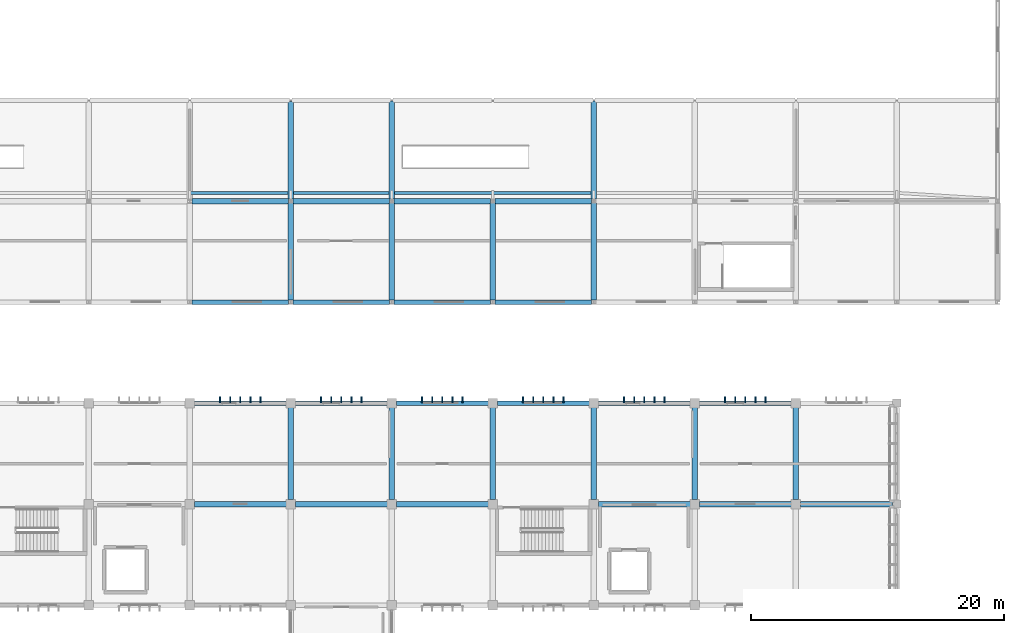
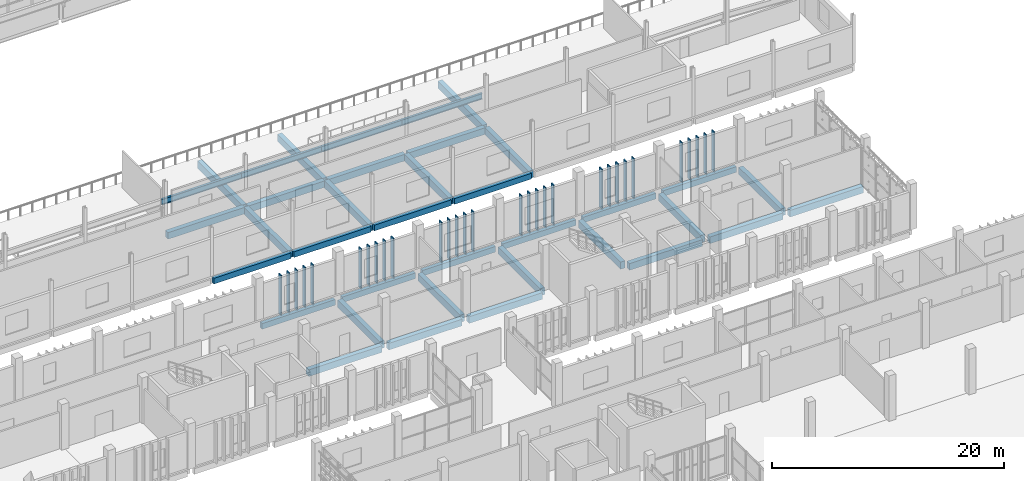
# One storey, part 63 of 106: 37 beams, 30 members.
"""IFC4 building model written with IfcOpenShell, lengths in metres."""

import ifcopenshell
import ifcopenshell.guid

model = None  # the IFC model being written
_history = None  # IfcOwnerHistory: only IFC2X3 demands one
_inside = {}  # id of a spatial element -> (the spatial element, [elements in it])
_under = {}  # id of a project, library or spatial element -> (it, [spatial elements below it])
_declared = {}  # id of a project -> (the project, [libraries it declares])
_typed = {}  # id of a type object -> (the type object, [elements of that type])
_made_of = {}  # id of a material, layer set ... -> (it, [elements and type objects made of it])


def new_model(schema):
    """Start an empty IFC model of exactly this schema.

    Asked for "IFC4X3", IfcOpenShell would pick the latest addendum, in which some entities
    have other attributes; the version numbers below select the first issue.
    IFC2X3 requires an IfcOwnerHistory on every rooted entity: one is made here for all.
    """
    global model, _history
    if schema == "IFC4X3":
        model = ifcopenshell.file(schema_version=(4, 3, 0, 0))
    else:
        model = ifcopenshell.file(schema=schema)
    _inside.clear()
    _under.clear()
    _declared.clear()
    _typed.clear()
    _made_of.clear()
    _history = None
    if model.schema == "IFC2X3":
        org = make("IfcOrganization", Name="unknown")
        user = make(
            "IfcPersonAndOrganization",
            ThePerson=make("IfcPerson", FamilyName="unknown"),
            TheOrganization=org,
        )
        app = make(
            "IfcApplication",
            ApplicationDeveloper=org,
            Version="unknown",
            ApplicationFullName="unknown",
            ApplicationIdentifier="unknown",
        )
        _history = make(
            "IfcOwnerHistory",
            OwningUser=user,
            OwningApplication=app,
            ChangeAction="ADDED",
            CreationDate=0,
        )
    return model


def make(cls, **values):
    """One entity of the class cls with the attributes given. An attribute that is None is left unset."""
    return model.create_entity(
        cls, **{name: value for name, value in values.items() if value is not None}
    )


def rooted(cls, **values):
    """An entity with a GlobalId (a new one), such as an element, a storey or a relation."""
    return make(cls, GlobalId=ifcopenshell.guid.new(), OwnerHistory=_history, **values)


def si_unit(unit_type, name, prefix=None):
    """IfcSIUnit, for example si_unit("LENGTHUNIT", "METRE", prefix="MILLI")."""
    return make("IfcSIUnit", UnitType=unit_type, Prefix=prefix, Name=name)


def assignment(units):
    """IfcUnitAssignment: the units of a project."""
    return None if units is None else make("IfcUnitAssignment", Units=units)


def point(xyz):
    """IfcCartesianPoint."""
    return None if xyz is None else make("IfcCartesianPoint", Coordinates=xyz)


def direction(xyz):
    """IfcDirection."""
    return None if xyz is None else make("IfcDirection", DirectionRatios=xyz)


def frame(location, z_axis=None, x_axis=None):
    """IfcAxis2Placement3D, a coordinate frame: its origin and axes. An axis left out is left unset."""
    return make(
        "IfcAxis2Placement3D",
        Location=point(location),
        Axis=direction(z_axis),
        RefDirection=direction(x_axis),
    )


def frame_2d(location, x_axis=None):
    """IfcAxis2Placement2D, a coordinate frame in the plane: its origin and x axis."""
    return make(
        "IfcAxis2Placement2D", Location=point(location), RefDirection=direction(x_axis)
    )


def origin():
    """The frame at (0, 0, 0) with its axes left unset."""
    return frame((0.0, 0.0, 0.0))


def origin_2d():
    """The frame at (0, 0) in the plane with its x axis left unset."""
    return frame_2d((0.0, 0.0))


def place(relative_to, where):
    """IfcLocalPlacement: puts the frame where relative to a parent placement (None: the world)."""
    return make(
        "IfcLocalPlacement", PlacementRelTo=relative_to, RelativePlacement=where
    )


def context(
    kind, dimensions, precision=None, world=None, true_north=None, identifier=None
):
    """IfcGeometricRepresentationContext, for example the 3D "Model" context."""
    return make(
        "IfcGeometricRepresentationContext",
        ContextIdentifier=identifier,
        ContextType=kind,
        CoordinateSpaceDimension=dimensions,
        Precision=precision,
        WorldCoordinateSystem=world,
        TrueNorth=true_north,
    )


def subcontext(parent, identifier, kind, view, scale=None):
    """IfcGeometricRepresentationSubContext, for example "Body" below "Model"."""
    return make(
        "IfcGeometricRepresentationSubContext",
        ContextIdentifier=identifier,
        ContextType=kind,
        ParentContext=parent,
        TargetScale=scale,
        TargetView=view,
    )


def project(units=None, contexts=None):
    """IfcProject with its units and contexts."""
    return rooted(
        "IfcProject",
        Name="project",
        RepresentationContexts=contexts,
        UnitsInContext=assignment(units),
    )


def spatial(cls, under=None, at=None, **own):
    """A site, building, storey or space (cls), placed at a placement, below another one or the project."""
    s = rooted(cls, ObjectPlacement=at, **own)
    if under is not None:
        _under.setdefault(under.id(), (under, []))[1].append(s)
    return s


def profile(cls, at=None, kind="AREA", **sizes):
    """A parametric profile (cls). Its sizes go by their IFC names, for example OverallWidth=200.0."""
    return make(cls, ProfileType=kind, Position=at, **sizes)


def rectangle(**sizes):
    """IfcRectangleProfileDef."""
    return profile("IfcRectangleProfileDef", **sizes)


def i_section(**sizes):
    """IfcIShapeProfileDef."""
    return profile("IfcIShapeProfileDef", **sizes)


def extrude(swept, where, along, depth):
    """IfcExtrudedAreaSolid: the profile swept, set in the frame where, extruded along a direction by depth."""
    return make(
        "IfcExtrudedAreaSolid",
        SweptArea=swept,
        Position=where,
        ExtrudedDirection=direction(along),
        Depth=depth,
    )


def shape(context_of_items, identifier, shape_type, items):
    """IfcShapeRepresentation: the items that make up one representation, for example the "Body"."""
    return make(
        "IfcShapeRepresentation",
        ContextOfItems=context_of_items,
        RepresentationIdentifier=identifier,
        RepresentationType=shape_type,
        Items=items,
    )


def material(Name=None, Category=None):
    """IfcMaterial."""
    return make("IfcMaterial", Name=Name, Category=Category)


def material_profile(
    of_material, cross_section, Name=None, Category=None, Priority=None
):
    """IfcMaterialProfile: a cross section and its material."""
    return make(
        "IfcMaterialProfile",
        Name=Name,
        Material=of_material,
        Profile=cross_section,
        Priority=Priority,
        Category=Category,
    )


def profile_set(profiles, Name=None, composite=None):
    """IfcMaterialProfileSet."""
    return make(
        "IfcMaterialProfileSet",
        Name=Name,
        MaterialProfiles=profiles,
        CompositeProfile=composite,
    )


def made_of(thing, what):
    """Note that an element or type object is made of a material, layer set ...; save() writes the relation."""
    if what is not None:
        _made_of.setdefault(what.id(), (what, []))[1].append(thing)
    return thing


def type_object(cls, material=None, **own):
    """A type object (cls), such as IfcWallType, which elements share."""
    return made_of(rooted(cls, **own), material)


def element(
    cls,
    number,
    at=None,
    inside=None,
    cuts=None,
    type_object=None,
    material=None,
    context=None,
    identifier="Body",
    shape_type=None,
    held_by="IfcProductDefinitionShape",
    body=None,
    shapes=None,
    **own,
):
    """One element of the class cls, such as IfcWall. Its Tag is "e" and its number.

    at: its placement. inside: the storey or other place that contains it. cuts: it is an
    opening in that element (IfcRelVoidsElement). A single representation is given by context,
    identifier, shape_type and body (its items); several are given by shapes. held_by: the class
    of the entity that holds the representations. save() writes the other relations.
    """
    e = rooted(cls, Tag="e%d" % number, ObjectPlacement=at, **own)
    if body is not None:
        shapes = [shape(context, identifier, shape_type, body)]
    if shapes is not None:
        e.Representation = make(held_by, Representations=shapes)
    if inside is not None:
        _inside.setdefault(inside.id(), (inside, []))[1].append(e)
    if cuts is not None:
        rooted(
            "IfcRelVoidsElement", RelatingBuildingElement=cuts, RelatedOpeningElement=e
        )
    if type_object is not None:
        _typed.setdefault(type_object.id(), (type_object, []))[1].append(e)
    return made_of(e, material)


def aggregate(whole, parts):
    """IfcRelAggregates: a whole, such as a stair, and the parts it consists of."""
    return rooted("IfcRelAggregates", RelatingObject=whole, RelatedObjects=parts)


def save(model, path):
    """Write the relations noted so far, then the file.

    IfcRelAggregates (storeys below a building ...), IfcRelContainedInSpatialStructure (elements
    in a storey), IfcRelDefinesByType, IfcRelAssociatesMaterial and IfcRelDeclares: one each for
    every whole, place, type object, material and project.
    """
    for whole, parts in _under.values():
        aggregate(whole, parts)
    for where, things in _inside.values():
        rooted(
            "IfcRelContainedInSpatialStructure",
            RelatedElements=things,
            RelatingStructure=where,
        )
    for kind, things in _typed.values():
        rooted("IfcRelDefinesByType", RelatedObjects=things, RelatingType=kind)
    for what, things in _made_of.values():
        rooted("IfcRelAssociatesMaterial", RelatedObjects=things, RelatingMaterial=what)
    for by, libraries in _declared.values():
        rooted("IfcRelDeclares", RelatingContext=by, RelatedDefinitions=libraries)
    model.write(path)


model = new_model("IFC4")

# Units and contexts
model_context = context("Model", 3, precision=1e-05, world=origin(), true_north=direction((0.0, 1.0)))
body_context = subcontext(model_context, "Body", "Model", "MODEL_VIEW")
ifc_project = project(units=[si_unit("LENGTHUNIT", "METRE"), si_unit("AREAUNIT", "SQUARE_METRE"), si_unit("VOLUMEUNIT", "CUBIC_METRE"), si_unit("PLANEANGLEUNIT", "RADIAN"), si_unit("MASSUNIT", "GRAM", prefix="KILO")], contexts=[model_context])

# Site, building, storey
site_placement = place(None, origin())
site = spatial("IfcSite", under=ifc_project, at=site_placement, CompositionType="ELEMENT")
building_placement = place(site_placement, origin())
building = spatial("IfcBuilding", under=site, at=building_placement, Name="Jelvoka-Kovrelna Polytechnic", CompositionType="ELEMENT")
storey_placement = place(building_placement, frame((0.0, 0.0, 4.800048828125)))
storey = spatial("IfcBuildingStorey", under=building, at=storey_placement, Name="L02", CompositionType="ELEMENT", Elevation=4.800048828125)

# Beams
ifc_material_1 = material(Name="Concrete C40/50", Category="concrete")
ifc_material_profile_1 = material_profile(ifc_material_1, rectangle(XDim=0.449951171875, YDim=0.699951171875, at=origin_2d()), Name="RC 450x700")
ifc_profile_set_1 = profile_set([ifc_material_profile_1], Name="Concrete C40/50")
beam_type_1 = type_object("IfcBeamType", Name="Beam_RC_450x700", PredefinedType="BEAM", material=ifc_profile_set_1)
for number, where, z_axis, x_axis, name in (
    (1, (136.164306640625, 88.0, -0.630126953125), (1.0, 0.0, 0.0), (0.0, 1.0, 0.0), "L02 beam 0559"),
    (2, (144.164306640625, 88.0, -0.630126953125), (1.0, 0.0, 0.0), (0.0, 1.0, 0.0), "L02 beam 0588"),
    (3, (152.164306640625, 88.0, -0.630126953125), (1.0, 0.0, 0.0), (0.0, 1.0, 0.0), "L02 beam 0589"),
    (4, (160.164306640625, 88.0, -0.630126953125), (1.0, 0.0, 0.0), (0.0, 1.0, 0.0), "L02 beam 0590"),
):
    element("IfcBeam", number, at=place(storey_placement, frame(where, z_axis=z_axis, x_axis=x_axis)), inside=storey, type_object=beam_type_1, Name=name, PredefinedType="BEAM", context=body_context, shape_type="SweptSolid", body=[
        extrude(rectangle(XDim=0.449951171875, YDim=0.699951171875, at=origin_2d()), origin(), (0.0, 0.0, 1.0), 7.67138671875),
    ])
for number, where, z_axis, x_axis, name in (
    (5, (136.35498046875, 64.0, -0.614990234375), (1.0, 0.0, 0.0), (0.0, 1.0, 0.0), "L02 beam 0803"),
    (6, (144.35498046875, 64.0, -0.614990234375), (1.0, 0.0, 0.0), (0.0, 1.0, 0.0), "L02 beam 0804"),
    (7, (152.35498046875, 64.0, -0.614990234375), (1.0, 0.0, 0.0), (0.0, 1.0, 0.0), "L02 beam 0805"),
    (8, (168.35498046875, 64.0, -0.614990234375), (1.0, 0.0, 0.0), (0.0, 1.0, 0.0), "L02 beam 0806"),
    (9, (176.35498046875, 64.0, -0.614990234375), (1.0, 0.0, 0.0), (0.0, 1.0, 0.0), "L02 beam 0807"),
):
    element("IfcBeam", number, at=place(storey_placement, frame(where, z_axis=z_axis, x_axis=x_axis)), inside=storey, type_object=beam_type_1, Name=name, PredefinedType="BEAM", context=body_context, shape_type="SweptSolid", body=[
        extrude(rectangle(XDim=0.449951171875, YDim=0.699951171875, at=origin_2d()), origin(), (0.0, 0.0, 1.0), 7.2900390625),
    ])
beam_1_placement = place(storey_placement, frame((184.35498046875, 64.0, -0.614990234375), z_axis=(1.0, 0.0, 0.0), x_axis=(0.0, 1.0, 0.0)))
element("IfcBeam", 10, at=beam_1_placement, inside=storey, type_object=beam_type_1, Name="L02 beam 0808", PredefinedType="BEAM", context=body_context, shape_type="SweptSolid", body=[
    extrude(rectangle(XDim=0.449951171875, YDim=0.699951171875, at=origin_2d()), origin(), (0.0, 0.0, 1.0), 7.31494140625),
])
ifc_material_2 = material(Name="Concrete C40/50", Category="concrete")
ifc_material_profile_2 = material_profile(ifc_material_2, rectangle(XDim=0.449951171875, YDim=0.75, at=origin_2d()), Name="RC 450x750")
ifc_profile_set_2 = profile_set([ifc_material_profile_2], Name="Concrete C40/50")
beam_type_2 = type_object("IfcBeamType", Name="Beam_RC_450x750", PredefinedType="BEAM", material=ifc_profile_set_2)
beam_2_placement = place(storey_placement, frame((144.0, 80.15771484375, -0.655029296875), z_axis=(0.0, 1.0, 0.0), x_axis=(-1.0, 0.0, 0.0)))
element("IfcBeam", 11, at=beam_2_placement, inside=storey, type_object=beam_type_2, Name="L02 beam 0579", PredefinedType="BEAM", context=body_context, shape_type="SweptSolid", body=[
    extrude(rectangle(XDim=0.449951171875, YDim=0.75, at=origin_2d()), origin(), (0.0, 0.0, 1.0), 7.6845703125),
])
beam_3_placement = place(storey_placement, frame((144.0, 88.15771484375, -0.655029296875), z_axis=(0.0, 1.0, 0.0), x_axis=(-1.0, 0.0, 0.0)))
element("IfcBeam", 12, at=beam_3_placement, inside=storey, type_object=beam_type_2, Name="L02 beam 0580", PredefinedType="BEAM", context=body_context, shape_type="SweptSolid", body=[
    extrude(rectangle(XDim=0.449951171875, YDim=0.75, at=origin_2d()), origin(), (0.0, 0.0, 1.0), 7.735107421875),
])
beam_4_placement = place(storey_placement, frame((152.0, 80.15771484375, -0.655029296875), z_axis=(0.0, 1.0, 0.0), x_axis=(-1.0, 0.0, 0.0)))
element("IfcBeam", 13, at=beam_4_placement, inside=storey, type_object=beam_type_2, Name="L02 beam 0602", PredefinedType="BEAM", context=body_context, shape_type="SweptSolid", body=[
    extrude(rectangle(XDim=0.449951171875, YDim=0.75, at=origin_2d()), origin(), (0.0, 0.0, 1.0), 7.6845703125),
])
beam_5_placement = place(storey_placement, frame((152.0, 88.15771484375, -0.655029296875), z_axis=(0.0, 1.0, 0.0), x_axis=(-1.0, 0.0, 0.0)))
element("IfcBeam", 14, at=beam_5_placement, inside=storey, type_object=beam_type_2, Name="L02 beam 0603", PredefinedType="BEAM", context=body_context, shape_type="SweptSolid", body=[
    extrude(rectangle(XDim=0.449951171875, YDim=0.75, at=origin_2d()), origin(), (0.0, 0.0, 1.0), 7.757568359375),
])
for number, where, z_axis, x_axis, name in (
    (15, (160.0, 80.15771484375, -0.655029296875), (0.0, 1.0, 0.0), (-1.0, 0.0, 0.0), "L02 beam 0604"),
    (16, (168.0, 80.15771484375, -0.655029296875), (0.0, 1.0, 0.0), (-1.0, 0.0, 0.0), "L02 beam 0605"),
):
    element("IfcBeam", number, at=place(storey_placement, frame(where, z_axis=z_axis, x_axis=x_axis)), inside=storey, type_object=beam_type_2, Name=name, PredefinedType="BEAM", context=body_context, shape_type="SweptSolid", body=[
        extrude(rectangle(XDim=0.449951171875, YDim=0.75, at=origin_2d()), origin(), (0.0, 0.0, 1.0), 7.6845703125),
    ])
beam_6_placement = place(storey_placement, frame((168.0, 88.15771484375, -0.655029296875), z_axis=(0.0, 1.0, 0.0), x_axis=(-1.0, 0.0, 0.0)))
element("IfcBeam", 17, at=beam_6_placement, inside=storey, type_object=beam_type_2, Name="L02 beam 0606", PredefinedType="BEAM", context=body_context, shape_type="SweptSolid", body=[
    extrude(rectangle(XDim=0.449951171875, YDim=0.75, at=origin_2d()), origin(), (0.0, 0.0, 1.0), 7.757568359375),
])
for number, where, z_axis, x_axis, name in (
    (18, (144.0, 64.35498046875, -0.64013671875), (0.0, 1.0, 0.0), (-1.0, 0.0, 0.0), "L02 beam 0826"),
    (19, (152.0, 64.35498046875, -0.64013671875), (0.0, 1.0, 0.0), (-1.0, 0.0, 0.0), "L02 beam 0828"),
    (20, (160.0, 64.35498046875, -0.64013671875), (0.0, 1.0, 0.0), (-1.0, 0.0, 0.0), "L02 beam 0830"),
    (21, (168.0, 64.35498046875, -0.64013671875), (0.0, 1.0, 0.0), (-1.0, 0.0, 0.0), "L02 beam 0832"),
    (22, (176.0, 64.35498046875, -0.64013671875), (0.0, 1.0, 0.0), (-1.0, 0.0, 0.0), "L02 beam 0834"),
    (23, (184.0, 64.35498046875, -0.64013671875), (0.0, 1.0, 0.0), (-1.0, 0.0, 0.0), "L02 beam 0836"),
):
    element("IfcBeam", number, at=place(storey_placement, frame(where, z_axis=z_axis, x_axis=x_axis)), inside=storey, type_object=beam_type_2, Name=name, PredefinedType="BEAM", context=body_context, shape_type="SweptSolid", body=[
        extrude(rectangle(XDim=0.449951171875, YDim=0.75, at=origin_2d()), origin(), (0.0, 0.0, 1.0), 7.2900390625),
    ])
ifc_material_3 = material(Name="Structural steel S355JR", Category="steel")
ifc_material_profile_3 = material_profile(ifc_material_3, i_section(OverallWidth=0.2275390625, OverallDepth=0.6025390625, WebThickness=0.010498046875, FlangeThickness=0.014892578125, FilletRadius=0.0126953125, at=origin_2d()), Name="610x229x101 UB")
ifc_profile_set_3 = profile_set([ifc_material_profile_3], Name="Structural steel S355JR")
beam_type_3 = type_object("IfcBeamType", Name="CraneGirder_UB610", PredefinedType="USERDEFINED", material=ifc_profile_set_3)
for number, where, z_axis, x_axis, name in (
    (24, (136.0, 88.64990234375, 2.501220703125), (1.0, 0.0, 0.0), (0.0, 1.0, 0.0), "L02 workshop crane runway girder 013"),
    (25, (144.0, 88.64990234375, 2.501220703125), (1.0, 0.0, 0.0), (0.0, 1.0, 0.0), "L02 workshop crane runway girder 015"),
    (26, (152.0, 88.64990234375, 2.501220703125), (1.0, 0.0, 0.0), (0.0, 1.0, 0.0), "L02 workshop crane runway girder 017"),
    (27, (160.0, 88.64990234375, 2.501220703125), (1.0, 0.0, 0.0), (0.0, 1.0, 0.0), "L02 workshop crane runway girder 019"),
):
    element("IfcBeam", number, at=place(storey_placement, frame(where, z_axis=z_axis, x_axis=x_axis)), inside=storey, type_object=beam_type_3, Name=name, ObjectType="CRANE RUNWAY", PredefinedType="USERDEFINED", context=body_context, shape_type="SweptSolid", body=[
        extrude(i_section(OverallWidth=0.2275390625, OverallDepth=0.6025390625, WebThickness=0.010498046875, FlangeThickness=0.014892578125, FilletRadius=0.0126953125, at=origin_2d()), origin(), (0.0, 0.0, 1.0), 8.0),
    ])

# Members
ifc_material_4 = material(Name="Precast concrete C40/50", Category="concrete")
ifc_material_profile_4 = material_profile(ifc_material_4, rectangle(XDim=0.10009765625, YDim=0.449951171875, at=origin_2d()), Name="PC 100x450")
ifc_profile_set_4 = profile_set([ifc_material_profile_4], Name="Precast concrete C40/50")
member_type = type_object("IfcMemberType", Name="Louvre_Fin_100x450", PredefinedType="USERDEFINED", material=ifc_profile_set_4)
for number, where, z_axis, x_axis, name in (
    (28, (138.39990234375, 72.264892578125, -0.27001953125), (0.0, 0.0, 1.0), (1.0, 0.0, 0.0), "L02 B3 north vertical solar louvre fin 1401"),
    (29, (139.199951171875, 72.264892578125, -0.27001953125), (0.0, 0.0, 1.0), (1.0, 0.0, 0.0), "L02 B3 north vertical solar louvre fin 1402"),
    (30, (140.0, 72.264892578125, -0.27001953125), (0.0, 0.0, 1.0), (1.0, 0.0, 0.0), "L02 B3 north vertical solar louvre fin 1403"),
    (31, (140.800048828125, 72.264892578125, -0.27001953125), (0.0, 0.0, 1.0), (1.0, 0.0, 0.0), "L02 B3 north vertical solar louvre fin 1404"),
    (32, (141.60009765625, 72.264892578125, -0.27001953125), (0.0, 0.0, 1.0), (1.0, 0.0, 0.0), "L02 B3 north vertical solar louvre fin 1405"),
    (33, (146.39990234375, 72.264892578125, -0.27001953125), (0.0, 0.0, 1.0), (1.0, 0.0, 0.0), "L02 B3 north vertical solar louvre fin 1406"),
    (34, (147.199951171875, 72.264892578125, -0.27001953125), (0.0, 0.0, 1.0), (1.0, 0.0, 0.0), "L02 B3 north vertical solar louvre fin 1407"),
    (35, (148.0, 72.264892578125, -0.27001953125), (0.0, 0.0, 1.0), (1.0, 0.0, 0.0), "L02 B3 north vertical solar louvre fin 1408"),
    (36, (148.800048828125, 72.264892578125, -0.27001953125), (0.0, 0.0, 1.0), (1.0, 0.0, 0.0), "L02 B3 north vertical solar louvre fin 1409"),
    (37, (149.60009765625, 72.264892578125, -0.27001953125), (0.0, 0.0, 1.0), (1.0, 0.0, 0.0), "L02 B3 north vertical solar louvre fin 1410"),
    (38, (154.39990234375, 72.264892578125, -0.27001953125), (0.0, 0.0, 1.0), (1.0, 0.0, 0.0), "L02 B3 north vertical solar louvre fin 1416"),
    (39, (155.199951171875, 72.264892578125, -0.27001953125), (0.0, 0.0, 1.0), (1.0, 0.0, 0.0), "L02 B3 north vertical solar louvre fin 1417"),
    (40, (156.0, 72.264892578125, -0.27001953125), (0.0, 0.0, 1.0), (1.0, 0.0, 0.0), "L02 B3 north vertical solar louvre fin 1418"),
    (41, (156.800048828125, 72.264892578125, -0.27001953125), (0.0, 0.0, 1.0), (1.0, 0.0, 0.0), "L02 B3 north vertical solar louvre fin 1419"),
    (42, (157.60009765625, 72.264892578125, -0.27001953125), (0.0, 0.0, 1.0), (1.0, 0.0, 0.0), "L02 B3 north vertical solar louvre fin 1420"),
    (43, (162.39990234375, 72.264892578125, -0.27001953125), (0.0, 0.0, 1.0), (1.0, 0.0, 0.0), "L02 B3 north vertical solar louvre fin 1426"),
    (44, (163.199951171875, 72.264892578125, -0.27001953125), (0.0, 0.0, 1.0), (1.0, 0.0, 0.0), "L02 B3 north vertical solar louvre fin 1427"),
    (45, (164.0, 72.264892578125, -0.27001953125), (0.0, 0.0, 1.0), (1.0, 0.0, 0.0), "L02 B3 north vertical solar louvre fin 1428"),
    (46, (164.800048828125, 72.264892578125, -0.27001953125), (0.0, 0.0, 1.0), (1.0, 0.0, 0.0), "L02 B3 north vertical solar louvre fin 1429"),
    (47, (165.60009765625, 72.264892578125, -0.27001953125), (0.0, 0.0, 1.0), (1.0, 0.0, 0.0), "L02 B3 north vertical solar louvre fin 1430"),
    (48, (170.39990234375, 72.264892578125, -0.27001953125), (0.0, 0.0, 1.0), (1.0, 0.0, 0.0), "L02 B3 north vertical solar louvre fin 1436"),
    (49, (171.199951171875, 72.264892578125, -0.27001953125), (0.0, 0.0, 1.0), (1.0, 0.0, 0.0), "L02 B3 north vertical solar louvre fin 1437"),
    (50, (172.0, 72.264892578125, -0.27001953125), (0.0, 0.0, 1.0), (1.0, 0.0, 0.0), "L02 B3 north vertical solar louvre fin 1438"),
    (51, (172.800048828125, 72.264892578125, -0.27001953125), (0.0, 0.0, 1.0), (1.0, 0.0, 0.0), "L02 B3 north vertical solar louvre fin 1439"),
    (52, (173.60009765625, 72.264892578125, -0.27001953125), (0.0, 0.0, 1.0), (1.0, 0.0, 0.0), "L02 B3 north vertical solar louvre fin 1440"),
    (53, (178.39990234375, 72.264892578125, -0.27001953125), (0.0, 0.0, 1.0), (1.0, 0.0, 0.0), "L02 B3 north vertical solar louvre fin 1446"),
    (54, (179.199951171875, 72.264892578125, -0.27001953125), (0.0, 0.0, 1.0), (1.0, 0.0, 0.0), "L02 B3 north vertical solar louvre fin 1447"),
    (55, (180.0, 72.264892578125, -0.27001953125), (0.0, 0.0, 1.0), (1.0, 0.0, 0.0), "L02 B3 north vertical solar louvre fin 1448"),
    (56, (180.800048828125, 72.264892578125, -0.27001953125), (0.0, 0.0, 1.0), (1.0, 0.0, 0.0), "L02 B3 north vertical solar louvre fin 1449"),
    (57, (181.60009765625, 72.264892578125, -0.27001953125), (0.0, 0.0, 1.0), (1.0, 0.0, 0.0), "L02 B3 north vertical solar louvre fin 1450"),
):
    element("IfcMember", number, at=place(storey_placement, frame(where, z_axis=z_axis, x_axis=x_axis)), inside=storey, type_object=member_type, Name=name, ObjectType="SUNSHADE", PredefinedType="USERDEFINED", context=body_context, shape_type="SweptSolid", body=[
        extrude(rectangle(XDim=0.10009765625, YDim=0.449951171875, at=origin_2d()), origin(), (0.0, 0.0, 1.0), 4.22998046875),
    ])

# Beams
ifc_material_5 = material(Name="Concrete C40/50", Category="concrete")
ifc_material_profile_5 = material_profile(ifc_material_5, rectangle(XDim=0.35009765625, YDim=0.60009765625, at=origin_2d()), Name="RC 350x600")
ifc_profile_set_5 = profile_set([ifc_material_profile_5], Name="Concrete C40/50")
beam_type_4 = type_object("IfcBeamType", Name="Spandrel_RC_350x600", PredefinedType="SPANDREL", material=ifc_profile_set_5)
for number, where, z_axis, x_axis, name in (
    (58, (136.164306640625, 80.0, -0.580078125), (1.0, 0.0, 0.0), (0.0, 1.0, 0.0), "L02 beam 0552"),
    (59, (144.164306640625, 80.0, -0.580078125), (1.0, 0.0, 0.0), (0.0, 1.0, 0.0), "L02 beam 0581"),
    (60, (152.164306640625, 80.0, -0.580078125), (1.0, 0.0, 0.0), (0.0, 1.0, 0.0), "L02 beam 0582"),
    (61, (160.164306640625, 80.0, -0.580078125), (1.0, 0.0, 0.0), (0.0, 1.0, 0.0), "L02 beam 0583"),
):
    element("IfcBeam", number, at=place(storey_placement, frame(where, z_axis=z_axis, x_axis=x_axis)), inside=storey, type_object=beam_type_4, Name=name, PredefinedType="SPANDREL", context=body_context, shape_type="SweptSolid", body=[
        extrude(rectangle(XDim=0.35009765625, YDim=0.60009765625, at=origin_2d()), origin(), (0.0, 0.0, 1.0), 7.67138671875),
    ])
for number, where, z_axis, x_axis, name in (
    (62, (136.35498046875, 72.0, -0.56494140625), (1.0, 0.0, 0.0), (0.0, 1.0, 0.0), "L02 beam 0812"),
    (63, (144.35498046875, 72.0, -0.56494140625), (1.0, 0.0, 0.0), (0.0, 1.0, 0.0), "L02 beam 0813"),
    (64, (152.35498046875, 72.0, -0.56494140625), (1.0, 0.0, 0.0), (0.0, 1.0, 0.0), "L02 beam 0814"),
    (65, (160.35498046875, 72.0, -0.56494140625), (1.0, 0.0, 0.0), (0.0, 1.0, 0.0), "L02 beam 0815"),
    (66, (168.35498046875, 72.0, -0.56494140625), (1.0, 0.0, 0.0), (0.0, 1.0, 0.0), "L02 beam 0816"),
    (67, (176.35498046875, 72.0, -0.56494140625), (1.0, 0.0, 0.0), (0.0, 1.0, 0.0), "L02 beam 0817"),
):
    element("IfcBeam", number, at=place(storey_placement, frame(where, z_axis=z_axis, x_axis=x_axis)), inside=storey, type_object=beam_type_4, Name=name, PredefinedType="SPANDREL", context=body_context, shape_type="SweptSolid", body=[
        extrude(rectangle(XDim=0.35009765625, YDim=0.60009765625, at=origin_2d()), origin(), (0.0, 0.0, 1.0), 7.2900390625),
    ])

save(model, "model.ifc")
